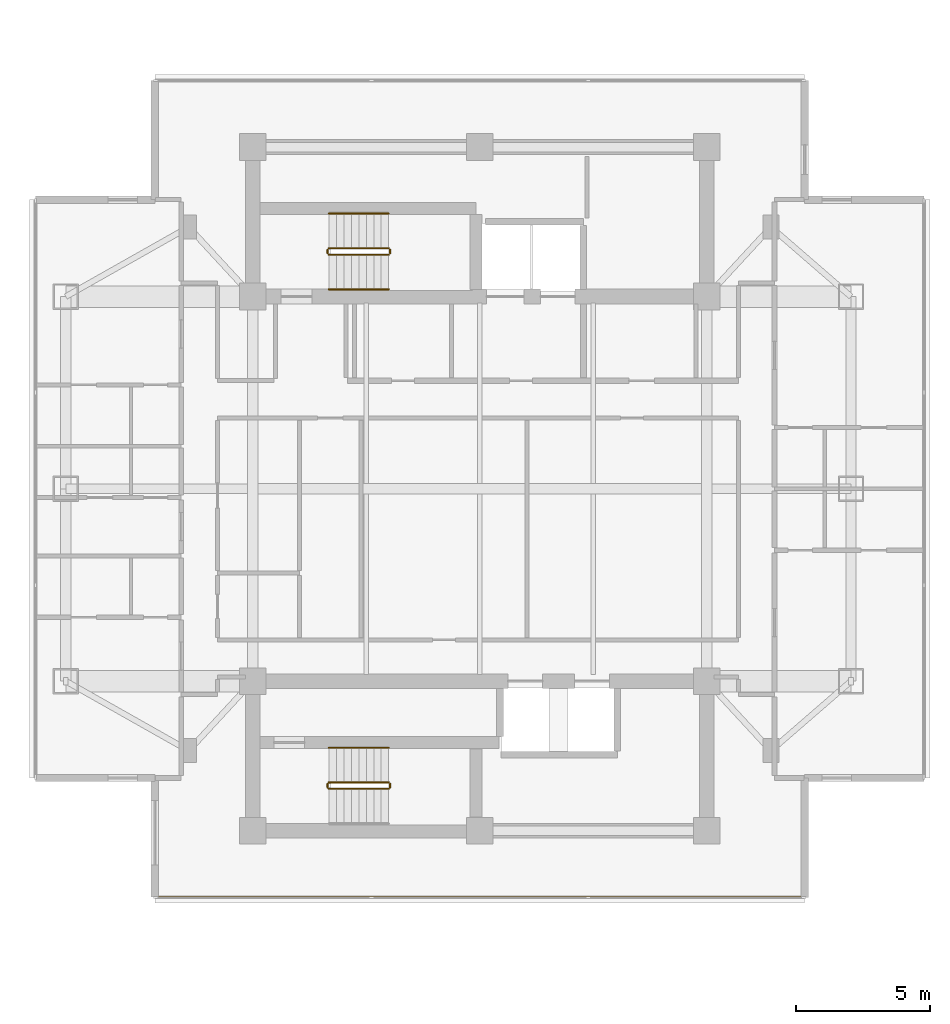
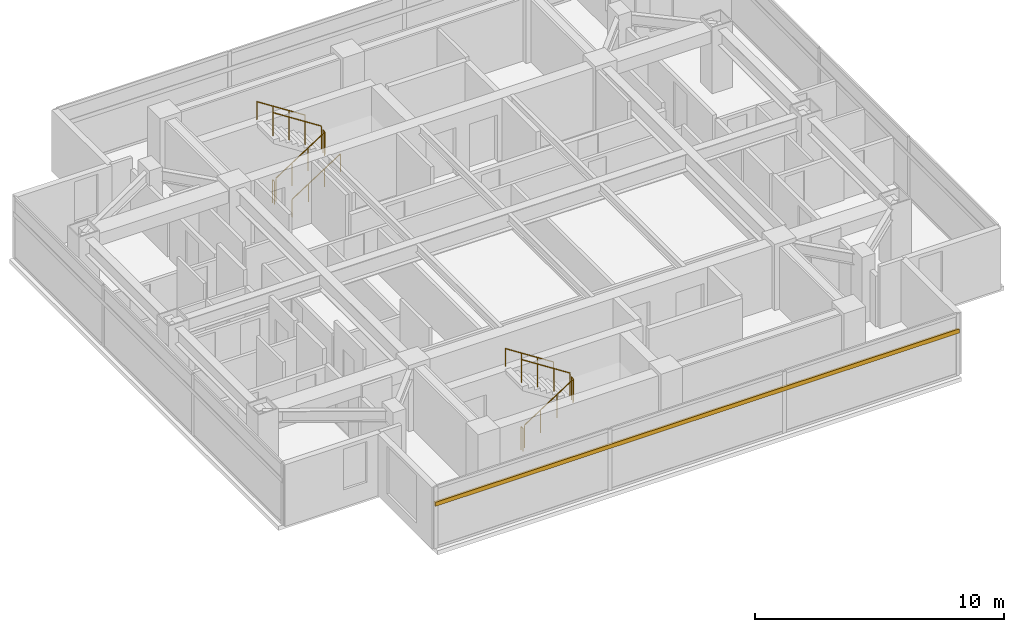
# One storey, part 23 of 24: 11 railings, 1 shading device.
"""IFC4 building model written with IfcOpenShell, lengths in metres."""

from ifc_helpers import new_model, si_unit, direction, frame, origin, origin_2d, place, context, subcontext, project, spatial, rectangle, circle, extrude, material, material_profile, profile_set, type_object, element, save


model = new_model("IFC4")

# Units and contexts
model_context = context("Model", 3, precision=1e-05, world=origin(), true_north=direction((0.0, 1.0)))
body_context = subcontext(model_context, "Body", "Model", "MODEL_VIEW")
ifc_project = project(units=[si_unit("LENGTHUNIT", "METRE"), si_unit("AREAUNIT", "SQUARE_METRE"), si_unit("VOLUMEUNIT", "CUBIC_METRE"), si_unit("PLANEANGLEUNIT", "RADIAN"), si_unit("MASSUNIT", "GRAM", prefix="KILO")], contexts=[model_context])

# Site, building, storey
site_placement = place(None, origin())
site = spatial("IfcSite", under=ifc_project, at=site_placement, CompositionType="ELEMENT")
building_placement = place(site_placement, origin())
building = spatial("IfcBuilding", under=site, at=building_placement, Name="Mirazonda Arch Towers", CompositionType="ELEMENT")
storey_placement = place(building_placement, frame((0.0, 0.0, 154.39990234375)))
storey = spatial("IfcBuildingStorey", under=building, at=storey_placement, Name="L43", CompositionType="ELEMENT", Elevation=154.39990234375)

# Shading device
ifc_material_1 = material(Name="Kiln-Fired Architectural Terracotta", Category="masonry")
ifc_material_profile = material_profile(ifc_material_1, rectangle(XDim=0.10009765625, YDim=0.199951171875, at=origin_2d()), Name="TERRA-BAG-100x200")
ifc_profile_set = profile_set([ifc_material_profile], Name="Kiln-Fired Architectural Terracotta")
shading_device_type = type_object("IfcShadingDeviceType", Name="BAGUETTE-2", PredefinedType="USERDEFINED", material=ifc_profile_set)
shading_device_placement = place(storey_placement, frame((88.667236328125, 12.70849609375, 2.181640625), z_axis=(-1.0, 0.0, 0.0), x_axis=(0.0, -1.0, 0.0)))
element("IfcShadingDevice", 1, at=shading_device_placement, inside=storey, type_object=shading_device_type, Name="L43 Glazed Terracotta Sun-Screen Baguette CW-L43-T2-S", ObjectType="BAGUETTE", PredefinedType="USERDEFINED", context=body_context, shape_type="SweptSolid", body=[
    extrude(rectangle(XDim=0.10009765625, YDim=0.199951171875, at=origin_2d()), origin(), (0.0, 0.0, 1.0), 24.33447265625),
])

# Railings
ifc_material_2 = material(Name="Architectural Brushed Steel S355", Category="steel")
railing_type_1 = type_object("IfcRailingType", Name="GUARD-STAIR-1120", PredefinedType="GUARDRAIL", material=ifc_material_2)
railing_1_placement = place(storey_placement, frame((70.85009765625, 36.77001953125, 0.1806640625)))
element("IfcRailing", 2, at=railing_1_placement, inside=storey, type_object=railing_type_1, Name="L43 ST-T2N stair guard 1", PredefinedType="GUARDRAIL", context=body_context, shape_type="SweptSolid", body=[
    extrude(circle(Radius=0.02392578125, at=origin_2d()), frame((0.0, 0.0, 1.1259765625), z_axis=(0.840436612492, 0.0, 0.541909863706), x_axis=(0.0, 1.0, 0.0)), (0.0, 0.0, 1.0), 2.665283203125),
    extrude(circle(Radius=0.02099609375, at=origin_2d()), origin(), (0.0, 0.0, 1.0), 1.101806640625),
    extrude(circle(Radius=0.02099609375, at=origin_2d()), frame((0.74658203125, 0.0, 0.4814453125)), (0.0, 0.0, 1.0), 1.101806640625),
    extrude(circle(Radius=0.02099609375, at=origin_2d()), frame((1.493408203125, 0.0, 0.962890625)), (0.0, 0.0, 1.0), 1.101806640625),
    extrude(circle(Radius=0.02099609375, at=origin_2d()), frame((2.239990234375, 0.0, 1.4443359375)), (0.0, 0.0, 1.0), 1.101806640625),
])
railing_2_placement = place(storey_placement, frame((73.139892578125, 36.820068359375, 1.625)))
element("IfcRailing", 3, at=railing_2_placement, inside=storey, type_object=railing_type_1, Name="L43 ST-T2N stair guard 2", PredefinedType="GUARDRAIL", context=body_context, shape_type="SweptSolid", body=[
    extrude(circle(Radius=0.02392578125, at=origin_2d()), frame((0.0, 0.0, 1.1259765625), z_axis=(0.0, 1.0, 0.0), x_axis=(-1.0, 0.0, 0.0)), (0.0, 0.0, 1.0), 0.139892578125),
    extrude(circle(Radius=0.02099609375, at=origin_2d()), origin(), (0.0, 0.0, 1.0), 1.101806640625),
    extrude(circle(Radius=0.02099609375, at=origin_2d()), frame((0.0, 0.139892578125, 0.0)), (0.0, 0.0, 1.0), 1.101806640625),
])
railing_3_placement = place(storey_placement, frame((73.090087890625, 37.010009765625, 1.8056640625)))
element("IfcRailing", 4, at=railing_3_placement, inside=storey, type_object=railing_type_1, Name="L43 ST-T2N stair guard 3", PredefinedType="GUARDRAIL", context=body_context, shape_type="SweptSolid", body=[
    extrude(circle(Radius=0.02392578125, at=origin_2d()), frame((0.0, 0.0, 1.1259765625), z_axis=(-0.840436612492, 0.0, 0.541909863706), x_axis=(0.0, -1.0, 0.0)), (0.0, 0.0, 1.0), 2.665283203125),
    extrude(circle(Radius=0.02099609375, at=origin_2d()), origin(), (0.0, 0.0, 1.0), 1.101806640625),
    extrude(circle(Radius=0.02099609375, at=origin_2d()), frame((-0.74658203125, 0.0, 0.4814453125)), (0.0, 0.0, 1.0), 1.101806640625),
    extrude(circle(Radius=0.02099609375, at=origin_2d()), frame((-1.493408203125, 0.0, 0.962890625)), (0.0, 0.0, 1.0), 1.101806640625),
    extrude(circle(Radius=0.02099609375, at=origin_2d()), frame((-2.239990234375, 0.0, 1.4443359375)), (0.0, 0.0, 1.0), 1.101806640625),
])
railing_4_placement = place(storey_placement, frame((70.800048828125, 36.820068359375, 0.0)))
element("IfcRailing", 5, at=railing_4_placement, inside=storey, type_object=railing_type_1, Name="L43 ST-T2N stair guard 4", PredefinedType="GUARDRAIL", context=body_context, shape_type="SweptSolid", body=[
    extrude(circle(Radius=0.02392578125, at=origin_2d()), frame((0.0, 0.0, 1.1259765625), z_axis=(0.0, 1.0, 0.0), x_axis=(-1.0, 0.0, 0.0)), (0.0, 0.0, 1.0), 0.139892578125),
    extrude(circle(Radius=0.02099609375, at=origin_2d()), origin(), (0.0, 0.0, 1.0), 1.101806640625),
    extrude(circle(Radius=0.02099609375, at=origin_2d()), frame((0.0, 0.139892578125, 0.0)), (0.0, 0.0, 1.0), 1.101806640625),
])
railing_5_placement = place(storey_placement, frame((70.85009765625, 16.77001953125, 0.1806640625)))
element("IfcRailing", 6, at=railing_5_placement, inside=storey, type_object=railing_type_1, Name="L43 ST-T2S stair guard 1", PredefinedType="GUARDRAIL", context=body_context, shape_type="SweptSolid", body=[
    extrude(circle(Radius=0.02392578125, at=origin_2d()), frame((0.0, 0.0, 1.1259765625), z_axis=(0.840436612492, 0.0, 0.541909863706), x_axis=(0.0, 1.0, 0.0)), (0.0, 0.0, 1.0), 2.665283203125),
    extrude(circle(Radius=0.02099609375, at=origin_2d()), origin(), (0.0, 0.0, 1.0), 1.101806640625),
    extrude(circle(Radius=0.02099609375, at=origin_2d()), frame((0.74658203125, 0.0, 0.4814453125)), (0.0, 0.0, 1.0), 1.101806640625),
    extrude(circle(Radius=0.02099609375, at=origin_2d()), frame((1.493408203125, 0.0, 0.962890625)), (0.0, 0.0, 1.0), 1.101806640625),
    extrude(circle(Radius=0.02099609375, at=origin_2d()), frame((2.239990234375, 0.0, 1.4443359375)), (0.0, 0.0, 1.0), 1.101806640625),
])
railing_6_placement = place(storey_placement, frame((73.139892578125, 16.820068359375, 1.625)))
element("IfcRailing", 7, at=railing_6_placement, inside=storey, type_object=railing_type_1, Name="L43 ST-T2S stair guard 2", PredefinedType="GUARDRAIL", context=body_context, shape_type="SweptSolid", body=[
    extrude(circle(Radius=0.02392578125, at=origin_2d()), frame((0.0, 0.0, 1.1259765625), z_axis=(0.0, 1.0, 0.0), x_axis=(-1.0, 0.0, 0.0)), (0.0, 0.0, 1.0), 0.139892578125),
    extrude(circle(Radius=0.02099609375, at=origin_2d()), origin(), (0.0, 0.0, 1.0), 1.101806640625),
    extrude(circle(Radius=0.02099609375, at=origin_2d()), frame((0.0, 0.139892578125, 0.0)), (0.0, 0.0, 1.0), 1.101806640625),
])
railing_7_placement = place(storey_placement, frame((73.090087890625, 17.010009765625, 1.8056640625)))
element("IfcRailing", 8, at=railing_7_placement, inside=storey, type_object=railing_type_1, Name="L43 ST-T2S stair guard 3", PredefinedType="GUARDRAIL", context=body_context, shape_type="SweptSolid", body=[
    extrude(circle(Radius=0.02392578125, at=origin_2d()), frame((0.0, 0.0, 1.1259765625), z_axis=(-0.840436612492, 0.0, 0.541909863706), x_axis=(0.0, -1.0, 0.0)), (0.0, 0.0, 1.0), 2.665283203125),
    extrude(circle(Radius=0.02099609375, at=origin_2d()), origin(), (0.0, 0.0, 1.0), 1.101806640625),
    extrude(circle(Radius=0.02099609375, at=origin_2d()), frame((-0.74658203125, 0.0, 0.4814453125)), (0.0, 0.0, 1.0), 1.101806640625),
    extrude(circle(Radius=0.02099609375, at=origin_2d()), frame((-1.493408203125, 0.0, 0.962890625)), (0.0, 0.0, 1.0), 1.101806640625),
    extrude(circle(Radius=0.02099609375, at=origin_2d()), frame((-2.239990234375, 0.0, 1.4443359375)), (0.0, 0.0, 1.0), 1.101806640625),
])
railing_8_placement = place(storey_placement, frame((70.800048828125, 16.820068359375, 0.0)))
element("IfcRailing", 9, at=railing_8_placement, inside=storey, type_object=railing_type_1, Name="L43 ST-T2S stair guard 4", PredefinedType="GUARDRAIL", context=body_context, shape_type="SweptSolid", body=[
    extrude(circle(Radius=0.02392578125, at=origin_2d()), frame((0.0, 0.0, 1.1259765625), z_axis=(0.0, 1.0, 0.0), x_axis=(-1.0, 0.0, 0.0)), (0.0, 0.0, 1.0), 0.139892578125),
    extrude(circle(Radius=0.02099609375, at=origin_2d()), origin(), (0.0, 0.0, 1.0), 1.101806640625),
    extrude(circle(Radius=0.02099609375, at=origin_2d()), frame((0.0, 0.139892578125, 0.0)), (0.0, 0.0, 1.0), 1.101806640625),
])
railing_type_2 = type_object("IfcRailingType", Name="HANDRAIL-915", PredefinedType="HANDRAIL", material=ifc_material_2)
railing_9_placement = place(storey_placement, frame((70.85009765625, 35.469970703125, 0.1806640625)))
element("IfcRailing", 10, at=railing_9_placement, inside=storey, type_object=railing_type_2, Name="L43 ST-T2N stair handrail 1", PredefinedType="HANDRAIL", context=body_context, shape_type="SweptSolid", body=[
    extrude(circle(Radius=0.02392578125, at=origin_2d()), frame((0.0, 0.0, 0.8759765625), z_axis=(0.840436612492, 0.0, 0.541909863706), x_axis=(0.0, 1.0, 0.0)), (0.0, 0.0, 1.0), 2.665283203125),
    extrude(circle(Radius=0.02099609375, at=origin_2d()), origin(), (0.0, 0.0, 1.0), 0.851806640625),
    extrude(circle(Radius=0.02099609375, at=origin_2d()), frame((0.74658203125, 0.0, 0.4814453125)), (0.0, 0.0, 1.0), 0.851806640625),
    extrude(circle(Radius=0.02099609375, at=origin_2d()), frame((1.493408203125, 0.0, 0.962890625)), (0.0, 0.0, 1.0), 0.851806640625),
    extrude(circle(Radius=0.02099609375, at=origin_2d()), frame((2.239990234375, 0.0, 1.4443359375)), (0.0, 0.0, 1.0), 0.851806640625),
])
for number, where, name in (
    (11, (73.090087890625, 38.31005859375, 1.8056640625), "L43 ST-T2N stair handrail 2"),
    (12, (73.090087890625, 18.31005859375, 1.8056640625), "L43 ST-T2S stair handrail 2"),
):
    element("IfcRailing", number, at=place(storey_placement, frame(where)), inside=storey, type_object=railing_type_2, Name=name, PredefinedType="HANDRAIL", context=body_context, shape_type="SweptSolid", body=[
        extrude(circle(Radius=0.02392578125, at=origin_2d()), frame((0.0, 0.0, 0.8759765625), z_axis=(-0.840436612492, 0.0, 0.541909863706), x_axis=(0.0, -1.0, 0.0)), (0.0, 0.0, 1.0), 2.665283203125),
        extrude(circle(Radius=0.02099609375, at=origin_2d()), origin(), (0.0, 0.0, 1.0), 0.851806640625),
        extrude(circle(Radius=0.02099609375, at=origin_2d()), frame((-0.74658203125, 0.0, 0.4814453125)), (0.0, 0.0, 1.0), 0.851806640625),
        extrude(circle(Radius=0.02099609375, at=origin_2d()), frame((-1.493408203125, 0.0, 0.962890625)), (0.0, 0.0, 1.0), 0.851806640625),
        extrude(circle(Radius=0.02099609375, at=origin_2d()), frame((-2.239990234375, 0.0, 1.4443359375)), (0.0, 0.0, 1.0), 0.851806640625),
    ])

save(model, "model.ifc")
